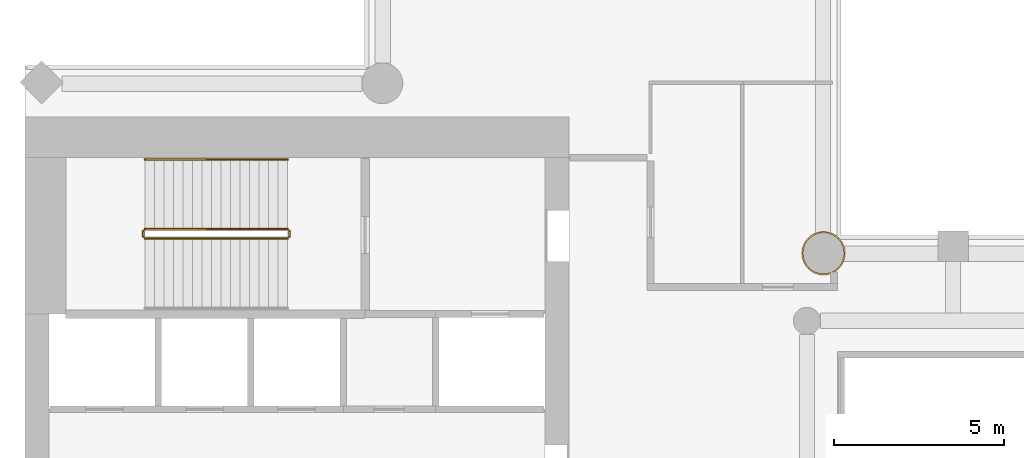
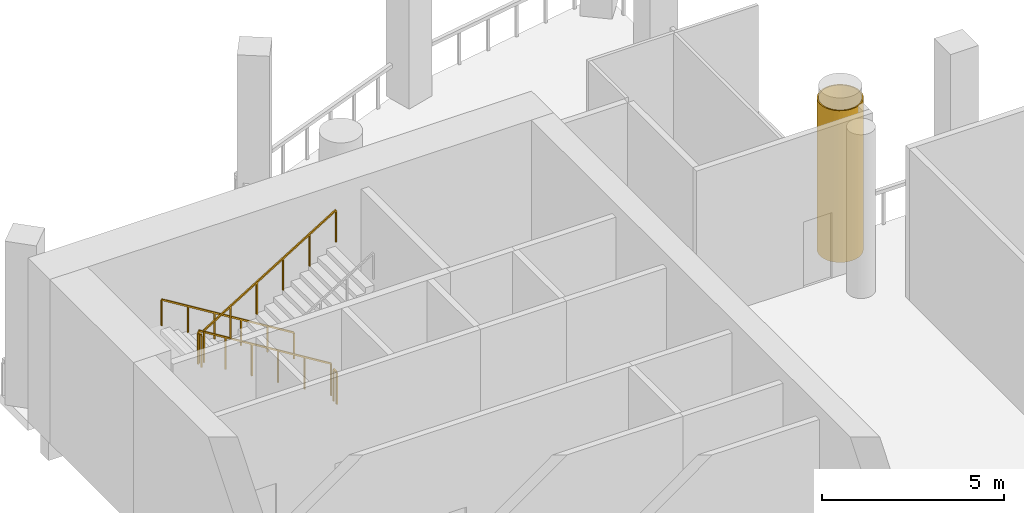
# One storey, part 11 of 12: 5 railings, 1 covering.
"""IFC4 building model written with IfcOpenShell, lengths in metres."""

from ifc_helpers import new_model, si_unit, direction, frame, origin, origin_2d, place, context, subcontext, project, spatial, polyline, rectangle, outline, extrude, material, layer, layer_set, type_object, element, save


model = new_model("IFC4")

# Units and contexts
model_context = context("Model", 3, precision=1e-05, world=origin(), true_north=direction((0.0, 1.0)))
body_context = subcontext(model_context, "Body", "Model", "MODEL_VIEW")
ifc_project = project(units=[si_unit("LENGTHUNIT", "METRE"), si_unit("AREAUNIT", "SQUARE_METRE"), si_unit("VOLUMEUNIT", "CUBIC_METRE"), si_unit("PLANEANGLEUNIT", "RADIAN"), si_unit("MASSUNIT", "GRAM", prefix="KILO")], contexts=[model_context])

# Site, building, storey
site_placement = place(None, origin())
site = spatial("IfcSite", under=ifc_project, at=site_placement, CompositionType="ELEMENT")
building_placement = place(site_placement, origin())
building = spatial("IfcBuilding", under=site, at=building_placement, Name="Cypress Arch Tower", CompositionType="ELEMENT")
storey_placement = place(building_placement, frame((0.0, 0.0, 329.5)))
storey = spatial("IfcBuildingStorey", under=building, at=storey_placement, Name="L75", CompositionType="ELEMENT", Elevation=329.5)

# Covering
ifc_material_1 = material(Name="Painted plasterboard column casing")
ifc_layer = layer(ifc_material_1, 0.0400390625)
ifc_layer_set = layer_set([ifc_layer], Name="Column casing CK40")
covering_type = type_object("IfcCoveringType", Name="Column casing CK40", PredefinedType="CLADDING", material=ifc_layer_set)
covering_placement = place(storey_placement, origin())
element("IfcCovering", 1, at=covering_placement, inside=storey, type_object=covering_type, Name="Column casing L75 CC04", PredefinedType="CLADDING", context=body_context, shape_type="SweptSolid", body=[
    extrude(outline(polyline([(-5.871826171875, 11.98779296875), (-5.88427734375, 11.863037109375), (-5.920654296875, 11.742919921875), (-5.979736328125, 11.632080078125), (-6.059326171875, 11.53515625), (-6.156494140625, 11.45556640625), (-6.26708984375, 11.396484375), (-6.38720703125, 11.35986328125), (-6.51220703125, 11.34765625), (-6.636962890625, 11.35986328125), (-6.757080078125, 11.396484375), (-6.867919921875, 11.45556640625), (-6.96484375, 11.53515625), (-7.04443359375, 11.632080078125), (-7.103515625, 11.742919921875), (-7.14013671875, 11.863037109375), (-7.15234375, 11.98779296875), (-7.14013671875, 12.11279296875), (-7.103515625, 12.23291015625), (-7.04443359375, 12.343505859375), (-6.96484375, 12.440673828125), (-6.867919921875, 12.520263671875), (-6.757080078125, 12.579345703125), (-6.636962890625, 12.61572265625), (-6.51220703125, 12.628173828125), (-6.38720703125, 12.61572265625), (-6.26708984375, 12.579345703125), (-6.156494140625, 12.520263671875), (-6.059326171875, 12.440673828125), (-5.979736328125, 12.343505859375), (-5.920654296875, 12.23291015625), (-5.88427734375, 12.11279296875), (-5.871826171875, 11.98779296875)]), holes=[polyline([(-5.912109375, 11.98779296875), (-5.923583984375, 11.870849609375), (-5.957763671875, 11.75830078125), (-6.01318359375, 11.654541015625), (-6.087890625, 11.563720703125), (-6.1787109375, 11.489013671875), (-6.282470703125, 11.43359375), (-6.39501953125, 11.3994140625), (-6.51220703125, 11.387939453125), (-6.629150390625, 11.3994140625), (-6.74169921875, 11.43359375), (-6.845458984375, 11.489013671875), (-6.936279296875, 11.563720703125), (-7.010986328125, 11.654541015625), (-7.06640625, 11.75830078125), (-7.1005859375, 11.870849609375), (-7.112060546875, 11.98779296875), (-7.1005859375, 12.10498046875), (-7.06640625, 12.217529296875), (-7.010986328125, 12.3212890625), (-6.936279296875, 12.412109375), (-6.845458984375, 12.48681640625), (-6.74169921875, 12.542236328125), (-6.629150390625, 12.576416015625), (-6.51220703125, 12.587890625), (-6.39501953125, 12.576416015625), (-6.282470703125, 12.542236328125), (-6.1787109375, 12.48681640625), (-6.087890625, 12.412109375), (-6.01318359375, 12.3212890625), (-5.957763671875, 12.217529296875), (-5.923583984375, 12.10498046875), (-5.912109375, 11.98779296875)])]), origin(), (0.0, 0.0, 1.0), 5.097900390625),
])

# Railings
ifc_material_2 = material(Name="Black powder-coated steel square bar 48 mm", Category="steel")
railing_type_1 = type_object("IfcRailingType", Name="Stair handrail HR1", PredefinedType="HANDRAIL", material=ifc_material_2)
railing_1_placement = place(storey_placement, frame((-22.27490234375, 14.75, 0.171875)))
element("IfcRailing", 2, at=railing_1_placement, inside=storey, type_object=railing_type_1, Name="L75 B stair handrail 1", PredefinedType="HANDRAIL", context=body_context, shape_type="SweptSolid", body=[
    extrude(rectangle(XDim=0.048095703125, YDim=0.048095703125, at=origin_2d()), frame((0.0, 0.0, 0.8759765625), z_axis=(-0.852256472501, 0.0, 0.523124177495), x_axis=(0.0, -1.0, 0.0)), (0.0, 0.0, 1.0), 4.92822265625),
    extrude(rectangle(XDim=0.0419921875, YDim=0.0419921875, at=origin_2d()), origin(), (0.0, 0.0, 1.0), 0.851806640625),
    extrude(rectangle(XDim=0.0419921875, YDim=0.0419921875, at=origin_2d()), frame((-0.840087890625, 0.0, 0.515625)), (0.0, 0.0, 1.0), 0.851806640625),
    extrude(rectangle(XDim=0.0419921875, YDim=0.0419921875, at=origin_2d()), frame((-1.68017578125, 0.0, 1.03125)), (0.0, 0.0, 1.0), 0.851806640625),
    extrude(rectangle(XDim=0.0419921875, YDim=0.0419921875, at=origin_2d()), frame((-2.52001953125, 0.0, 1.546875)), (0.0, 0.0, 1.0), 0.851806640625),
    extrude(rectangle(XDim=0.0419921875, YDim=0.0419921875, at=origin_2d()), frame((-3.360107421875, 0.0, 2.0625)), (0.0, 0.0, 1.0), 0.851806640625),
    extrude(rectangle(XDim=0.0419921875, YDim=0.0419921875, at=origin_2d()), frame((-4.2001953125, 0.0, 2.578125)), (0.0, 0.0, 1.0), 0.851806640625),
])
ifc_material_3 = material(Name="Black powder-coated steel balusters", Category="steel")
railing_type_2 = type_object("IfcRailingType", Name="Stair well guard G1", PredefinedType="GUARDRAIL", material=ifc_material_3)
railing_2_placement = place(storey_placement, frame((-22.27490234375, 12.699951171875, 0.171875)))
element("IfcRailing", 3, at=railing_2_placement, inside=storey, type_object=railing_type_2, Name="L75 B stair guard 1", PredefinedType="GUARDRAIL", context=body_context, shape_type="SweptSolid", body=[
    extrude(rectangle(XDim=0.048095703125, YDim=0.048095703125, at=origin_2d()), frame((0.0, 0.0, 1.076171875), z_axis=(-0.852256472501, 0.0, 0.523124177495), x_axis=(0.0, -1.0, 0.0)), (0.0, 0.0, 1.0), 4.92822265625),
    extrude(rectangle(XDim=0.0419921875, YDim=0.0419921875, at=origin_2d()), origin(), (0.0, 0.0, 1.0), 1.052001953125),
    extrude(rectangle(XDim=0.0419921875, YDim=0.0419921875, at=origin_2d()), frame((-0.840087890625, 0.0, 0.515625)), (0.0, 0.0, 1.0), 1.052001953125),
    extrude(rectangle(XDim=0.0419921875, YDim=0.0419921875, at=origin_2d()), frame((-1.68017578125, 0.0, 1.03125)), (0.0, 0.0, 1.0), 1.052001953125),
    extrude(rectangle(XDim=0.0419921875, YDim=0.0419921875, at=origin_2d()), frame((-2.52001953125, 0.0, 1.546875)), (0.0, 0.0, 1.0), 1.052001953125),
    extrude(rectangle(XDim=0.0419921875, YDim=0.0419921875, at=origin_2d()), frame((-3.360107421875, 0.0, 2.0625)), (0.0, 0.0, 1.0), 1.052001953125),
    extrude(rectangle(XDim=0.0419921875, YDim=0.0419921875, at=origin_2d()), frame((-4.2001953125, 0.0, 2.578125)), (0.0, 0.0, 1.0), 1.052001953125),
])
railing_3_placement = place(storey_placement, frame((-26.52490234375, 12.64990234375, 2.75)))
element("IfcRailing", 4, at=railing_3_placement, inside=storey, type_object=railing_type_2, Name="L75 B stair guard 2", PredefinedType="GUARDRAIL", context=body_context, shape_type="SweptSolid", body=[
    extrude(rectangle(XDim=0.048095703125, YDim=0.048095703125, at=origin_2d()), frame((0.0, 0.0, 1.076171875), z_axis=(0.0, -1.0, 0.0), x_axis=(1.0, 0.0, 0.0)), (0.0, 0.0, 1.0), 0.1748046875),
    extrude(rectangle(XDim=0.0419921875, YDim=0.0419921875, at=origin_2d()), origin(), (0.0, 0.0, 1.0), 1.052001953125),
    extrude(rectangle(XDim=0.0419921875, YDim=0.0419921875, at=origin_2d()), frame((0.0, -0.1748046875, 0.0)), (0.0, 0.0, 1.0), 1.052001953125),
])
railing_4_placement = place(storey_placement, frame((-26.47509765625, 12.425048828125, 2.921875)))
element("IfcRailing", 5, at=railing_4_placement, inside=storey, type_object=railing_type_2, Name="L75 B stair guard 3", PredefinedType="GUARDRAIL", context=body_context, shape_type="SweptSolid", body=[
    extrude(rectangle(XDim=0.048095703125, YDim=0.048095703125, at=origin_2d()), frame((0.0, 0.0, 1.076171875), z_axis=(0.852256472501, 0.0, 0.523124177495), x_axis=(0.0, 1.0, 0.0)), (0.0, 0.0, 1.0), 4.92822265625),
    extrude(rectangle(XDim=0.0419921875, YDim=0.0419921875, at=origin_2d()), origin(), (0.0, 0.0, 1.0), 1.052001953125),
    extrude(rectangle(XDim=0.0419921875, YDim=0.0419921875, at=origin_2d()), frame((0.840087890625, 0.0, 0.515625)), (0.0, 0.0, 1.0), 1.052001953125),
    extrude(rectangle(XDim=0.0419921875, YDim=0.0419921875, at=origin_2d()), frame((1.68017578125, 0.0, 1.03125)), (0.0, 0.0, 1.0), 1.052001953125),
    extrude(rectangle(XDim=0.0419921875, YDim=0.0419921875, at=origin_2d()), frame((2.52001953125, 0.0, 1.546875)), (0.0, 0.0, 1.0), 1.052001953125),
    extrude(rectangle(XDim=0.0419921875, YDim=0.0419921875, at=origin_2d()), frame((3.360107421875, 0.0, 2.0625)), (0.0, 0.0, 1.0), 1.052001953125),
    extrude(rectangle(XDim=0.0419921875, YDim=0.0419921875, at=origin_2d()), frame((4.2001953125, 0.0, 2.578125)), (0.0, 0.0, 1.0), 1.052001953125),
])
railing_5_placement = place(storey_placement, frame((-22.22509765625, 12.64990234375, 0.0)))
element("IfcRailing", 6, at=railing_5_placement, inside=storey, type_object=railing_type_2, Name="L75 B stair guard 4", PredefinedType="GUARDRAIL", context=body_context, shape_type="SweptSolid", body=[
    extrude(rectangle(XDim=0.048095703125, YDim=0.048095703125, at=origin_2d()), frame((0.0, 0.0, 1.076171875), z_axis=(0.0, -1.0, 0.0), x_axis=(1.0, 0.0, 0.0)), (0.0, 0.0, 1.0), 0.1748046875),
    extrude(rectangle(XDim=0.0419921875, YDim=0.0419921875, at=origin_2d()), origin(), (0.0, 0.0, 1.0), 1.052001953125),
    extrude(rectangle(XDim=0.0419921875, YDim=0.0419921875, at=origin_2d()), frame((0.0, -0.1748046875, 0.0)), (0.0, 0.0, 1.0), 1.052001953125),
])

save(model, "model.ifc")
